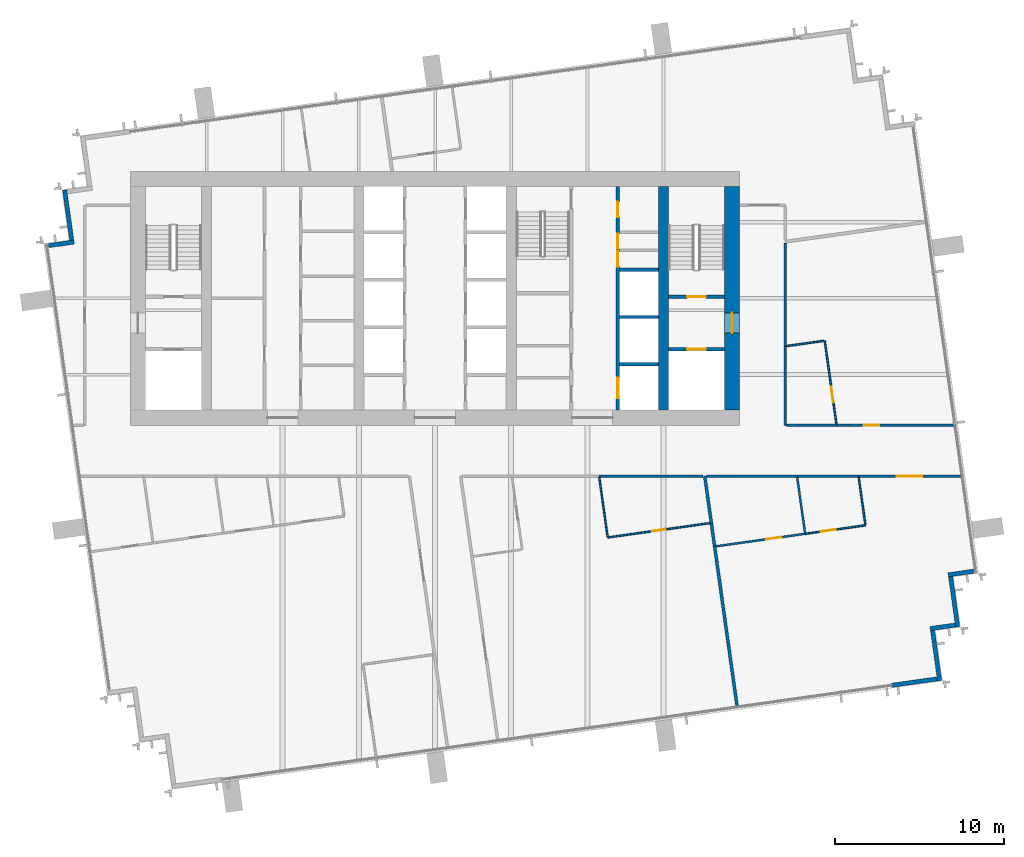
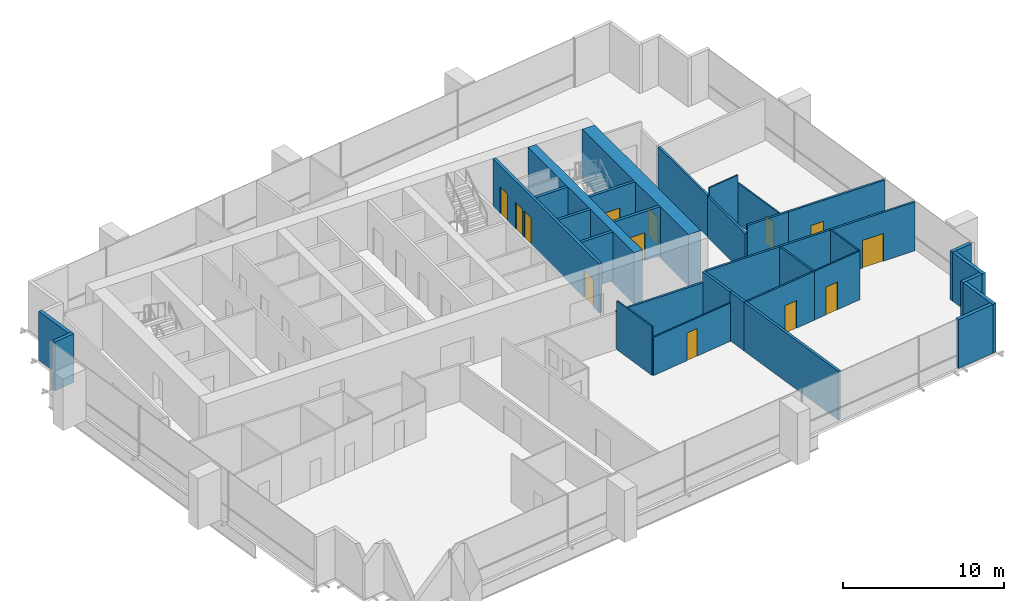
# One storey, part 11 of 14: 34 walls, 13 doors, 13 openings.
"""IFC4 building model written with IfcOpenShell, lengths in metres."""

from ifc_helpers import new_model, si_unit, direction, frame, frame_2d, origin, place, context, subcontext, project, spatial, rectangle, extrude, material, layer, layer_set, type_object, element, fill, save


model = new_model("IFC4")

# Units and contexts
model_context = context("Model", 3, precision=1e-05, world=origin(), true_north=direction((0.0, 1.0)))
body_context = subcontext(model_context, "Body", "Model", "MODEL_VIEW")
ifc_project = project(units=[si_unit("LENGTHUNIT", "METRE"), si_unit("AREAUNIT", "SQUARE_METRE"), si_unit("VOLUMEUNIT", "CUBIC_METRE"), si_unit("PLANEANGLEUNIT", "RADIAN"), si_unit("MASSUNIT", "GRAM", prefix="KILO")], contexts=[model_context])

# Site, building, storey
site_placement = place(None, origin())
site = spatial("IfcSite", under=ifc_project, at=site_placement, CompositionType="ELEMENT")
building_placement = place(site_placement, origin())
building = spatial("IfcBuilding", under=site, at=building_placement, Name="Rattan Terrace Tower", CompositionType="ELEMENT")
storey_placement = place(building_placement, frame((0.0, 0.0, 229.10009765625)))
storey = spatial("IfcBuildingStorey", under=building, at=storey_placement, Name="L52", CompositionType="ELEMENT", Elevation=229.10009765625)

# Wall, opening, door
ifc_material_1 = material(Name="Gypsum board partition")
ifc_layer_1 = layer(ifc_material_1, 0.199951171875)
ifc_layer_set_1 = layer_set([ifc_layer_1], Name="Core partition 200")
wall_type_1 = type_object("IfcWallType", Name="Core partition 200", PredefinedType="PARTITIONING", material=ifc_layer_set_1)
wall_1_placement = place(storey_placement, frame((13.800048828125, -3.0, 0.0), z_axis=(0.0, 0.0, 1.0), x_axis=(1.0, 0.0, 0.0)))
wall_1 = element("IfcWall", 1, at=wall_1_placement, inside=storey, type_object=wall_type_1, Name="Fire-fighting lobby wall", PredefinedType="PARTITIONING", context=body_context, shape_type="SweptSolid", body=[
    extrude(rectangle(XDim=3.300048828125, YDim=0.199951171875, at=frame_2d((1.64990234375, 0.0))), origin(), (0.0, 0.0, 1.0), 3.699951171875),
])
opening_1_placement = place(wall_1_placement, frame((1.10009765625, 0.0, 0.0)))
opening_1 = element("IfcOpeningElement", 2, at=opening_1_placement, cuts=wall_1, Name="Opening L52-LD-FF2", PredefinedType="OPENING", context=body_context, shape_type="SweptSolid", body=[
    extrude(rectangle(XDim=1.10009765625, YDim=2.10009765625, at=frame_2d((0.550048828125, 1.050048828125))), frame((0.0, 0.110595703125, 0.0), z_axis=(0.0, -1.0, 0.0), x_axis=(1.0, 0.0, 0.0)), (0.0, 0.0, 1.0), 0.220947265625),
])
ifc_material_2 = material(Name="Brushed stainless landing door panel")
door_type_1 = type_object("IfcDoorType", Name="Core lift landing door 1100", OperationType="DOUBLE_DOOR_SLIDING", PredefinedType="DOOR", material=ifc_material_2)
door_1_placement = place(opening_1_placement, origin())
door_1 = element("IfcDoor", 3, at=door_1_placement, inside=storey, type_object=door_type_1, Name="Door L52-LD-FF2", OperationType="DOUBLE_DOOR_SLIDING", OverallHeight=2.10009765625, OverallWidth=1.10009765625, PredefinedType="DOOR", context=body_context, shape_type="SweptSolid", body=[
    extrude(rectangle(XDim=1.10009765625, YDim=2.10009765625, at=frame_2d((0.550048828125, 1.050048828125))), frame((0.0, 0.02490234375, 0.0), z_axis=(0.0, -1.0, 0.0), x_axis=(1.0, 0.0, 0.0)), (0.0, 0.0, 1.0), 0.050048828125),
])
fill(opening_1, door_1)

wall_2_placement = place(storey_placement, frame((13.800048828125, 0.10009765625, 0.0), z_axis=(0.0, 0.0, 1.0), x_axis=(1.0, 0.0, 0.0)))
wall_2 = element("IfcWall", 4, at=wall_2_placement, inside=storey, type_object=wall_type_1, Name="Stair enclosure wall", PredefinedType="PARTITIONING", context=body_context, shape_type="SweptSolid", body=[
    extrude(rectangle(XDim=3.300048828125, YDim=0.199951171875, at=frame_2d((1.64990234375, 0.0))), origin(), (0.0, 0.0, 1.0), 3.699951171875),
])
opening_2_placement = place(wall_2_placement, frame((1.10009765625, 0.0, 0.0)))
opening_2 = element("IfcOpeningElement", 5, at=opening_2_placement, cuts=wall_2, Name="Opening L52-D004", PredefinedType="OPENING", context=body_context, shape_type="SweptSolid", body=[
    extrude(rectangle(XDim=1.10009765625, YDim=2.10009765625, at=frame_2d((0.550048828125, 1.050048828125))), frame((0.0, 0.110595703125, 0.0), z_axis=(0.0, -1.0, 0.0), x_axis=(1.0, 0.0, 0.0)), (0.0, 0.0, 1.0), 0.220947265625),
])
ifc_material_3 = material(Name="Hollow-metal fire door leaf")
door_type_2 = type_object("IfcDoorType", Name="Core stair door 1100", OperationType="NOTDEFINED", PredefinedType="DOOR", material=ifc_material_3)
door_2_placement = place(opening_2_placement, origin())
door_2 = element("IfcDoor", 6, at=door_2_placement, inside=storey, type_object=door_type_2, Name="Door L52-D004", OperationType="SINGLE_SWING_LEFT", OverallHeight=2.10009765625, OverallWidth=1.10009765625, PredefinedType="DOOR", context=body_context, shape_type="SweptSolid", body=[
    extrude(rectangle(XDim=1.10009765625, YDim=2.10009765625, at=frame_2d((0.550048828125, 1.050048828125))), frame((0.0, 0.02490234375, 0.0), z_axis=(0.0, -1.0, 0.0), x_axis=(1.0, 0.0, 0.0)), (0.0, 0.0, 1.0), 0.050048828125),
])
fill(opening_2, door_2)

ifc_material_4 = material(Name="Concrete C50/60", Category="concrete")
ifc_layer_2 = layer(ifc_material_4, 0.89990234375)
ifc_layer_set_2 = layer_set([ifc_layer_2], Name="Core ring wall 900 C50/60")
wall_type_2 = type_object("IfcWallType", Name="Core ring wall 900 C50/60", PredefinedType="SHEAR", material=ifc_layer_set_2)
wall_3_placement = place(storey_placement, frame((17.550048828125, -6.60009765625, -0.2001953125), z_axis=(0.0, 0.0, 1.0), x_axis=(0.0, 1.0, 0.0)))
wall_3 = element("IfcWall", 7, at=wall_3_placement, inside=storey, type_object=wall_type_2, Name="Rear core wall east", PredefinedType="SHEAR", context=body_context, shape_type="SweptSolid", body=[
    extrude(rectangle(XDim=13.2001953125, YDim=0.89990234375, at=frame_2d((6.60009765625, 0.0))), origin(), (0.0, 0.0, 1.0), 3.900146484375),
])
opening_3_placement = place(wall_3_placement, frame((4.550048828125, 0.0, 0.199951171875)))
opening_3 = element("IfcOpeningElement", 8, at=opening_3_placement, cuts=wall_3, Name="Opening L52-D003", PredefinedType="OPENING", context=body_context, shape_type="SweptSolid", body=[
    extrude(rectangle(XDim=1.199951171875, YDim=2.10009765625, at=frame_2d((0.60009765625, 1.050048828125))), frame((0.0, 0.46044921875, 0.0), z_axis=(0.0, -1.0, 0.0), x_axis=(1.0, 0.0, 0.0)), (0.0, 0.0, 1.0), 0.9208984375),
])
ifc_material_5 = material(Name="Hollow-metal fire door leaf")
door_type_3 = type_object("IfcDoorType", Name="Core fire-fighting lobby door 1200", OperationType="NOTDEFINED", PredefinedType="DOOR", material=ifc_material_5)
door_3_placement = place(opening_3_placement, origin())
door_3 = element("IfcDoor", 9, at=door_3_placement, inside=storey, type_object=door_type_3, Name="Door L52-D003", OperationType="SINGLE_SWING_RIGHT", OverallHeight=2.10009765625, OverallWidth=1.199951171875, PredefinedType="DOOR", context=body_context, shape_type="SweptSolid", body=[
    extrude(rectangle(XDim=1.199951171875, YDim=2.10009765625, at=frame_2d((0.60009765625, 1.050048828125))), frame((0.0, 0.02490234375, 0.0), z_axis=(0.0, -1.0, 0.0), x_axis=(1.0, 0.0, 0.0)), (0.0, 0.0, 1.0), 0.050048828125),
])
fill(opening_3, door_3)

# Walls
ifc_material_6 = material(Name="Concrete C50/60", Category="concrete")
ifc_layer_3 = layer(ifc_material_6, 0.60009765625)
ifc_layer_set_3 = layer_set([ifc_layer_3], Name="Core spine wall 600 C50/60")
wall_type_3 = type_object("IfcWallType", Name="Core spine wall 600 C50/60", PredefinedType="SHEAR", material=ifc_layer_set_3)
wall_4_placement = place(storey_placement, frame((13.5, -6.60009765625, -0.2001953125), z_axis=(0.0, 0.0, 1.0), x_axis=(0.0, 1.0, 0.0)))
element("IfcWall", 10, at=wall_4_placement, inside=storey, type_object=wall_type_3, Name="Core spine wall 4", PredefinedType="SHEAR", context=body_context, shape_type="SweptSolid", body=[
    extrude(rectangle(XDim=13.2001953125, YDim=0.60009765625, at=frame_2d((6.60009765625, 0.0))), origin(), (0.0, 0.0, 1.0), 3.900146484375),
])
ifc_material_7 = material(Name="Insulated aluminium-clad stud wall", Category="aluminium")
ifc_layer_4 = layer(ifc_material_7, 0.25)
ifc_layer_set_4 = layer_set([ifc_layer_4], Name="Facade Riser Wall 250")
wall_type_4 = type_object("IfcWallType", Name="Facade Riser Wall 250", PredefinedType="SOLIDWALL", material=ifc_layer_set_4)
wall_5_placement = place(storey_placement, frame((26.995361328125, -22.858642578125, 0.0), z_axis=(0.0, 0.0, 1.0), x_axis=(0.99024510326, 0.139336411139, 0.0)))
element("IfcWall", 11, at=wall_5_placement, inside=storey, type_object=wall_type_4, Name="Riser wall L52-1", PredefinedType="SOLIDWALL", context=body_context, shape_type="SweptSolid", body=[
    extrude(rectangle(XDim=2.705322265625, YDim=0.25, at=frame_2d((1.3525390625, 0.0))), origin(), (0.0, 0.0, 1.0), 3.699951171875),
])
wall_6_placement = place(storey_placement, frame((29.8154296875, -22.588134765625, 0.0), z_axis=(0.0, 0.0, 1.0), x_axis=(-0.138983028379, 0.9902947631, 0.0)))
element("IfcWall", 12, at=wall_6_placement, inside=storey, type_object=wall_type_4, Name="Riser wall L52-2", PredefinedType="SOLIDWALL", context=body_context, shape_type="SweptSolid", body=[
    extrude(rectangle(XDim=3.000244140625, YDim=0.25, at=frame_2d((1.5, 0.0))), origin(), (0.0, 0.0, 1.0), 3.699951171875),
])
wall_7_placement = place(storey_placement, frame((29.25732421875, -19.510498046875, 0.0), z_axis=(0.0, 0.0, 1.0), x_axis=(0.990330117064, 0.138730887823, 0.0)))
element("IfcWall", 13, at=wall_7_placement, inside=storey, type_object=wall_type_4, Name="Riser wall L52-3", PredefinedType="SOLIDWALL", context=body_context, shape_type="SweptSolid", body=[
    extrude(rectangle(XDim=1.499267578125, YDim=0.25, at=frame_2d((0.74951171875, 0.0))), origin(), (0.0, 0.0, 1.0), 3.699951171875),
])
wall_8_placement = place(storey_placement, frame((30.88330078125, -19.408935546875, 0.0), z_axis=(0.0, 0.0, 1.0), x_axis=(-0.139324658755, 0.990246756855, 0.0)))
element("IfcWall", 14, at=wall_8_placement, inside=storey, type_object=wall_type_4, Name="Riser wall L52-4", PredefinedType="SOLIDWALL", context=body_context, shape_type="SweptSolid", body=[
    extrude(rectangle(XDim=3.0, YDim=0.25, at=frame_2d((1.5, 0.0))), origin(), (0.0, 0.0, 1.0), 3.699951171875),
])
wall_9_placement = place(storey_placement, frame((30.32421875, -16.331787109375, 0.0), z_axis=(0.0, 0.0, 1.0), x_axis=(0.990238641016, 0.139382329723, 0.0)))
element("IfcWall", 15, at=wall_9_placement, inside=storey, type_object=wall_type_4, Name="Riser wall L52-5", PredefinedType="SOLIDWALL", context=body_context, shape_type="SweptSolid", body=[
    extrude(rectangle(XDim=1.525634765625, YDim=0.25, at=frame_2d((0.7626953125, 0.0))), origin(), (0.0, 0.0, 1.0), 3.699951171875),
])
wall_10_placement = place(storey_placement, frame((-21.88330078125, 6.408935546875, 0.0), z_axis=(0.0, 0.0, 1.0), x_axis=(0.139324658755, -0.990246756855, 0.0)))
element("IfcWall", 16, at=wall_10_placement, inside=storey, type_object=wall_type_4, Name="Riser wall L52-14", PredefinedType="SOLIDWALL", context=body_context, shape_type="SweptSolid", body=[
    extrude(rectangle(XDim=3.0, YDim=0.25, at=frame_2d((1.5, 0.0))), origin(), (0.0, 0.0, 1.0), 3.699951171875),
])
wall_11_placement = place(storey_placement, frame((-21.32421875, 3.331787109375, 0.0), z_axis=(0.0, 0.0, 1.0), x_axis=(-0.990238641016, -0.139382329723, 0.0)))
element("IfcWall", 17, at=wall_11_placement, inside=storey, type_object=wall_type_4, Name="Riser wall L52-15", PredefinedType="SOLIDWALL", context=body_context, shape_type="SweptSolid", body=[
    extrude(rectangle(XDim=1.525634765625, YDim=0.25, at=frame_2d((0.7626953125, 0.0))), origin(), (0.0, 0.0, 1.0), 3.699951171875),
])
ifc_material_8 = material(Name="Double steel stud acoustic partition, gypsum board, mineral wool, fire rated", Category="steel")
ifc_layer_5 = layer(ifc_material_8, 0.179931640625)
ifc_layer_set_5 = layer_set([ifc_layer_5], Name="Floors Acoustic Party Wall 180")
wall_type_5 = type_object("IfcWallType", Name="Floors Acoustic Party Wall 180", PredefinedType="PARTITIONING", material=ifc_layer_set_5)
wall_12_placement = place(storey_placement, frame((16.51904296875, -14.638916015625, 0.0), z_axis=(0.0, 0.0, 1.0), x_axis=(0.139138381639, -0.990272947603, 0.0)))
element("IfcWall", 18, at=wall_12_placement, inside=storey, type_object=wall_type_5, Name="pt-L52-039", PredefinedType="PARTITIONING", context=body_context, shape_type="SweptSolid", body=[
    extrude(rectangle(XDim=9.508544921875, YDim=0.179931640625, at=frame_2d((4.75439453125, 0.0))), origin(), (0.0, 0.0, 1.0), 3.699951171875),
])
wall_13_placement = place(storey_placement, frame((16.325927734375, -13.26611328125, 0.0), z_axis=(0.0, 0.0, 1.0), x_axis=(0.13930070257, -0.990250127121, 0.0)))
element("IfcWall", 19, at=wall_13_placement, inside=storey, type_object=wall_type_5, Name="pt-L52-040", PredefinedType="PARTITIONING", context=body_context, shape_type="SweptSolid", body=[
    extrude(rectangle(XDim=1.38623046875, YDim=0.179931640625, at=frame_2d((0.693115234375, 0.0))), origin(), (0.0, 0.0, 1.0), 3.699951171875),
])
wall_14_placement = place(storey_placement, frame((15.93701171875, -10.5, 0.0), z_axis=(0.0, 0.0, 1.0), x_axis=(0.139230726348, -0.990259968312, 0.0)))
element("IfcWall", 20, at=wall_14_placement, inside=storey, type_object=wall_type_5, Name="pt-L52-041", PredefinedType="PARTITIONING", context=body_context, shape_type="SweptSolid", body=[
    extrude(rectangle(XDim=2.793212890625, YDim=0.179931640625, at=frame_2d((1.396484375, 0.0))), origin(), (0.0, 0.0, 1.0), 3.699951171875),
])
ifc_material_9 = material(Name="Gypsum board partition on steel studs", Category="steel")
ifc_layer_6 = layer(ifc_material_9, 0.10009765625)
ifc_layer_set_6 = layer_set([ifc_layer_6], Name="Floors Partition 100")
wall_type_6 = type_object("IfcWallType", Name="Floors Partition 100", PredefinedType="PARTITIONING", material=ifc_layer_set_6)
wall_15_placement = place(storey_placement, frame((9.7041015625, -10.568115234375, 0.0), z_axis=(0.0, 0.0, 1.0), x_axis=(0.139115473097, -0.9902761661, 0.0)))
element("IfcWall", 21, at=wall_15_placement, inside=storey, type_object=wall_type_6, Name="pt-L52-037", PredefinedType="PARTITIONING", context=body_context, shape_type="SweptSolid", body=[
    extrude(rectangle(XDim=3.543212890625, YDim=0.10009765625, at=frame_2d((1.771484375, 0.0))), origin(), (0.0, 0.0, 1.0), 3.699951171875),
])

# Wall, opening, door
wall_16_placement = place(storey_placement, frame((10.2041015625, -14.1259765625, 0.0), z_axis=(0.0, 0.0, 1.0), x_axis=(0.99026754166, 0.139176851288, 0.0)))
wall_16 = element("IfcWall", 22, at=wall_16_placement, inside=storey, type_object=wall_type_6, Name="pt-L52-038", PredefinedType="PARTITIONING", context=body_context, shape_type="SweptSolid", body=[
    extrude(rectangle(XDim=6.09228515625, YDim=0.10009765625, at=frame_2d((3.046142578125, 0.0))), origin(), (0.0, 0.0, 1.0), 2.89990234375),
])
opening_4_placement = place(wall_16_placement, frame((2.64599609375, 0.0, 0.0)))
opening_4 = element("IfcOpeningElement", 23, at=opening_4_placement, cuts=wall_16, Name="Opening L52-D108", PredefinedType="OPENING", context=body_context, shape_type="SweptSolid", body=[
    extrude(rectangle(XDim=0.800048828125, YDim=2.10009765625, at=frame_2d((0.39990234375, 1.050048828125))), frame((0.0, 0.060546875, 0.0), z_axis=(0.0, -1.0, 0.0), x_axis=(1.0, 0.0, 0.0)), (0.0, 0.0, 1.0), 0.12109375),
])
ifc_material_10 = material(Name="Solid core timber door, painted", Category="wood")
door_type_4 = type_object("IfcDoorType", Name="Floors Store Door 800x2100", OperationType="NOTDEFINED", PredefinedType="DOOR", material=ifc_material_10)
door_4_placement = place(opening_4_placement, origin())
door_4 = element("IfcDoor", 24, at=door_4_placement, inside=storey, type_object=door_type_4, Name="d-L52-108", OperationType="SINGLE_SWING_LEFT", OverallHeight=2.10009765625, OverallWidth=0.800048828125, PredefinedType="DOOR", context=body_context, shape_type="SweptSolid", body=[
    extrude(rectangle(XDim=0.800048828125, YDim=2.10009765625, at=frame_2d((0.39990234375, 1.050048828125))), frame((0.0, 0.02490234375, 0.0), z_axis=(0.0, -1.0, 0.0), x_axis=(1.0, 0.0, 0.0)), (0.0, 0.0, 1.0), 0.050048828125),
])
fill(opening_4, door_4)

wall_17_placement = place(storey_placement, frame((21.888916015625, -13.905029296875, 0.0), z_axis=(0.0, 0.0, 1.0), x_axis=(0.990275524816, 0.139120037919, 0.0)))
wall_17 = element("IfcWall", 25, at=wall_17_placement, inside=storey, type_object=wall_type_6, Name="pt-L52-043", PredefinedType="PARTITIONING", context=body_context, shape_type="SweptSolid", body=[
    extrude(rectangle(XDim=3.580078125, YDim=0.10009765625, at=frame_2d((1.7900390625, 0.0))), origin(), (0.0, 0.0, 1.0), 3.699951171875),
])
opening_5_placement = place(wall_17_placement, frame((0.904052734375, 0.0, 0.0)))
opening_5 = element("IfcOpeningElement", 26, at=opening_5_placement, cuts=wall_17, Name="Opening L52-D111", PredefinedType="OPENING", context=body_context, shape_type="SweptSolid", body=[
    extrude(rectangle(XDim=0.89990234375, YDim=2.10009765625, at=frame_2d((0.449951171875, 1.050048828125))), frame((0.0, 0.060546875, 0.0), z_axis=(0.0, -1.0, 0.0), x_axis=(1.0, 0.0, 0.0)), (0.0, 0.0, 1.0), 0.12109375),
])
ifc_material_11 = material(Name="Solid core timber door, painted", Category="wood")
door_type_5 = type_object("IfcDoorType", Name="Floors Door 900x2100", OperationType="NOTDEFINED", PredefinedType="DOOR", material=ifc_material_11)
door_5_placement = place(opening_5_placement, origin())
door_5 = element("IfcDoor", 27, at=door_5_placement, inside=storey, type_object=door_type_5, Name="d-L52-111", OperationType="SINGLE_SWING_LEFT", OverallHeight=2.10009765625, OverallWidth=0.89990234375, PredefinedType="DOOR", context=body_context, shape_type="SweptSolid", body=[
    extrude(rectangle(XDim=0.89990234375, YDim=2.10009765625, at=frame_2d((0.449951171875, 1.050048828125))), frame((0.0, 0.02490234375, 0.0), z_axis=(0.0, -1.0, 0.0), x_axis=(1.0, 0.0, 0.0)), (0.0, 0.0, 1.0), 0.050048828125),
])
fill(opening_5, door_5)

# Walls
wall_18_placement = place(storey_placement, frame((25.427001953125, -13.35791015625, 0.0), z_axis=(0.0, 0.0, 1.0), x_axis=(-0.139176490191, 0.99026759241, 0.0)))
element("IfcWall", 28, at=wall_18_placement, inside=storey, type_object=wall_type_6, Name="pt-L52-044", PredefinedType="PARTITIONING", context=body_context, shape_type="SweptSolid", body=[
    extrude(rectangle(XDim=2.817138671875, YDim=0.10009765625, at=frame_2d((1.40869140625, 0.0))), origin(), (0.0, 0.0, 1.0), 3.699951171875),
])
wall_19_placement = place(storey_placement, frame((22.97705078125, -2.506103515625, 0.0), z_axis=(0.0, 0.0, 1.0), x_axis=(-0.990307451449, -0.138892590173, 0.0)))
element("IfcWall", 29, at=wall_19_placement, inside=storey, type_object=wall_type_6, Name="pt-L52-049", PredefinedType="PARTITIONING", context=body_context, shape_type="SweptSolid", body=[
    extrude(rectangle(XDim=2.230712890625, YDim=0.10009765625, at=frame_2d((1.115234375, 0.0))), origin(), (0.0, 0.0, 1.0), 3.699951171875),
])

# Wall, opening, door
wall_20_placement = place(storey_placement, frame((23.718994140625, -7.431884765625, 0.0), z_axis=(0.0, 0.0, 1.0), x_axis=(-0.138902614834, 0.990306045418, 0.0)))
wall_20 = element("IfcWall", 30, at=wall_20_placement, inside=storey, type_object=wall_type_6, Name="pt-L52-050", PredefinedType="PARTITIONING", context=body_context, shape_type="SweptSolid", body=[
    extrude(rectangle(XDim=4.981201171875, YDim=0.10009765625, at=frame_2d((2.49072265625, 0.0))), origin(), (0.0, 0.0, 1.0), 3.099853515625),
])
opening_6_placement = place(wall_20_placement, frame((1.323974609375, 0.0, 0.0)))
opening_6 = element("IfcOpeningElement", 31, at=opening_6_placement, cuts=wall_20, Name="Opening L52-D115", PredefinedType="OPENING", context=body_context, shape_type="SweptSolid", body=[
    extrude(rectangle(XDim=0.89990234375, YDim=2.10009765625, at=frame_2d((0.449951171875, 1.050048828125))), frame((0.0, 0.060546875, 0.0), z_axis=(0.0, -1.0, 0.0), x_axis=(1.0, 0.0, 0.0)), (0.0, 0.0, 1.0), 0.12109375),
])
door_6_placement = place(opening_6_placement, origin())
door_6 = element("IfcDoor", 32, at=door_6_placement, inside=storey, type_object=door_type_5, Name="d-L52-115", OperationType="SINGLE_SWING_LEFT", OverallHeight=2.10009765625, OverallWidth=0.89990234375, PredefinedType="DOOR", context=body_context, shape_type="SweptSolid", body=[
    extrude(rectangle(XDim=0.89990234375, YDim=2.10009765625, at=frame_2d((0.449951171875, 1.050048828125))), frame((0.0, 0.02490234375, 0.0), z_axis=(0.0, -1.0, 0.0), x_axis=(1.0, 0.0, 0.0)), (0.0, 0.0, 1.0), 0.050048828125),
])
fill(opening_6, door_6)

# Wall
ifc_material_12 = material(Name="Gypsum board partition on steel studs, fire rated", Category="steel")
ifc_layer_7 = layer(ifc_material_12, 0.14990234375)
ifc_layer_set_7 = layer_set([ifc_layer_7], Name="Floors Tenancy Wall 150")
wall_type_7 = type_object("IfcWallType", Name="Floors Tenancy Wall 150", PredefinedType="PARTITIONING", material=ifc_layer_set_7)
wall_21_placement = place(storey_placement, frame((15.847900390625, -10.5, 0.0), z_axis=(0.0, 0.0, 1.0), x_axis=(-1.0, 0.0, 0.0)))
element("IfcWall", 33, at=wall_21_placement, inside=storey, type_object=wall_type_7, Name="pt-L52-012", PredefinedType="PARTITIONING", context=body_context, shape_type="SweptSolid", body=[
    extrude(rectangle(XDim=6.1728515625, YDim=0.14990234375, at=frame_2d((3.08642578125, 0.0))), origin(), (0.0, 0.0, 1.0), 2.89990234375),
])

# Wall, opening, door
wall_22_placement = place(storey_placement, frame((31.054931640625, -10.5, 0.0), z_axis=(0.0, 0.0, 1.0), x_axis=(-1.0, 0.0, 0.0)))
wall_22 = element("IfcWall", 34, at=wall_22_placement, inside=storey, type_object=wall_type_7, Name="pt-L52-013", PredefinedType="PARTITIONING", context=body_context, shape_type="SweptSolid", body=[
    extrude(rectangle(XDim=6.050048828125, YDim=0.14990234375, at=frame_2d((3.02490234375, 0.0))), origin(), (0.0, 0.0, 1.0), 3.699951171875),
])
opening_7_placement = place(wall_22_placement, frame((2.27490234375, 0.0, 0.0)))
opening_7 = element("IfcOpeningElement", 35, at=opening_7_placement, cuts=wall_22, Name="Opening L52-D109", PredefinedType="OPENING", context=body_context, shape_type="SweptSolid", body=[
    extrude(rectangle(XDim=1.5, YDim=2.10009765625, at=frame_2d((0.75, 1.050048828125))), frame((0.0, 0.08544921875, 0.0), z_axis=(0.0, -1.0, 0.0), x_axis=(1.0, 0.0, 0.0)), (0.0, 0.0, 1.0), 0.1708984375),
])
ifc_material_13 = material(Name="Steel fire door set", Category="steel")
door_type_6 = type_object("IfcDoorType", Name="Floors Unit Door Pair FD30S 1500x2100", OperationType="NOTDEFINED", PredefinedType="DOOR", material=ifc_material_13)
door_7_placement = place(opening_7_placement, origin())
door_7 = element("IfcDoor", 36, at=door_7_placement, inside=storey, type_object=door_type_6, Name="d-L52-109", OperationType="DOUBLE_DOOR_SINGLE_SWING", OverallHeight=2.10009765625, OverallWidth=1.5, PredefinedType="DOOR", context=body_context, shape_type="SweptSolid", body=[
    extrude(rectangle(XDim=1.5, YDim=2.10009765625, at=frame_2d((0.75, 1.050048828125))), frame((0.0, 0.02490234375, 0.0), z_axis=(0.0, -1.0, 0.0), x_axis=(1.0, 0.0, 0.0)), (0.0, 0.0, 1.0), 0.050048828125),
])
fill(opening_7, door_7)

# Walls
wall_23_placement = place(storey_placement, frame((21.409912109375, -10.5, 0.0), z_axis=(0.0, 0.0, 1.0), x_axis=(-1.0, 0.0, 0.0)))
element("IfcWall", 37, at=wall_23_placement, inside=storey, type_object=wall_type_7, Name="pt-L52-014", PredefinedType="PARTITIONING", context=body_context, shape_type="SweptSolid", body=[
    extrude(rectangle(XDim=5.371826171875, YDim=0.14990234375, at=frame_2d((2.68603515625, 0.0))), origin(), (0.0, 0.0, 1.0), 3.699951171875),
])
wall_24_placement = place(storey_placement, frame((25.0048828125, -10.5, 0.0), z_axis=(0.0, 0.0, 1.0), x_axis=(-1.0, 0.0, 0.0)))
element("IfcWall", 38, at=wall_24_placement, inside=storey, type_object=wall_type_7, Name="pt-L52-015", PredefinedType="PARTITIONING", context=body_context, shape_type="SweptSolid", body=[
    extrude(rectangle(XDim=3.594970703125, YDim=0.14990234375, at=frame_2d((1.79736328125, 0.0))), origin(), (0.0, 0.0, 1.0), 3.699951171875),
])
wall_25_placement = place(storey_placement, frame((20.699951171875, 3.260986328125, 0.0), z_axis=(0.0, 0.0, 1.0), x_axis=(0.0, -1.0, 0.0)))
element("IfcWall", 39, at=wall_25_placement, inside=storey, type_object=wall_type_7, Name="pt-L52-019", PredefinedType="PARTITIONING", context=body_context, shape_type="SweptSolid", body=[
    extrude(rectangle(XDim=6.10693359375, YDim=0.14990234375, at=frame_2d((3.053466796875, 0.0))), origin(), (0.0, 0.0, 1.0), 3.14990234375),
])

# Wall, opening, door
wall_26_placement = place(storey_placement, frame((23.708984375, -7.5, 0.0), z_axis=(0.0, 0.0, 1.0), x_axis=(1.0, 0.0, 0.0)))
wall_26 = element("IfcWall", 40, at=wall_26_placement, inside=storey, type_object=wall_type_7, Name="pt-L52-020", PredefinedType="PARTITIONING", context=body_context, shape_type="SweptSolid", body=[
    extrude(rectangle(XDim=6.924072265625, YDim=0.14990234375, at=frame_2d((3.4619140625, 0.0))), origin(), (0.0, 0.0, 1.0), 3.699951171875),
])
opening_8_placement = place(wall_26_placement, frame((1.631103515625, 0.0, 0.0)))
opening_8 = element("IfcOpeningElement", 41, at=opening_8_placement, cuts=wall_26, Name="Opening L52-D114", PredefinedType="OPENING", context=body_context, shape_type="SweptSolid", body=[
    extrude(rectangle(XDim=0.89990234375, YDim=2.10009765625, at=frame_2d((0.449951171875, 1.050048828125))), frame((0.0, 0.08544921875, 0.0), z_axis=(0.0, -1.0, 0.0), x_axis=(1.0, 0.0, 0.0)), (0.0, 0.0, 1.0), 0.1708984375),
])
ifc_material_14 = material(Name="Steel fire door set", Category="steel")
door_type_7 = type_object("IfcDoorType", Name="Floors Fire Door FD30S 900x2100", OperationType="NOTDEFINED", PredefinedType="DOOR", material=ifc_material_14)
door_8_placement = place(opening_8_placement, origin())
door_8 = element("IfcDoor", 42, at=door_8_placement, inside=storey, type_object=door_type_7, Name="d-L52-114", OperationType="SINGLE_SWING_LEFT", OverallHeight=2.10009765625, OverallWidth=0.89990234375, PredefinedType="DOOR", context=body_context, shape_type="SweptSolid", body=[
    extrude(rectangle(XDim=0.89990234375, YDim=2.10009765625, at=frame_2d((0.449951171875, 1.050048828125))), frame((0.0, 0.02490234375, 0.0), z_axis=(0.0, -1.0, 0.0), x_axis=(1.0, 0.0, 0.0)), (0.0, 0.0, 1.0), 0.050048828125),
])
fill(opening_8, door_8)

# Walls
wall_27_placement = place(storey_placement, frame((20.699951171875, -2.845947265625, 0.0), z_axis=(0.0, 0.0, 1.0), x_axis=(0.0, -1.0, 0.0)))
element("IfcWall", 43, at=wall_27_placement, inside=storey, type_object=wall_type_7, Name="pt-L52-021", PredefinedType="PARTITIONING", context=body_context, shape_type="SweptSolid", body=[
    extrude(rectangle(XDim=4.654052734375, YDim=0.14990234375, at=frame_2d((2.3271484375, 0.0))), origin(), (0.0, 0.0, 1.0), 3.099853515625),
])
wall_28_placement = place(storey_placement, frame((20.77490234375, -7.5, 0.0), z_axis=(0.0, 0.0, 1.0), x_axis=(1.0, 0.0, 0.0)))
element("IfcWall", 44, at=wall_28_placement, inside=storey, type_object=wall_type_7, Name="pt-L52-022", PredefinedType="PARTITIONING", context=body_context, shape_type="SweptSolid", body=[
    extrude(rectangle(XDim=2.93408203125, YDim=0.14990234375, at=frame_2d((1.467041015625, 0.0))), origin(), (0.0, 0.0, 1.0), 3.699951171875),
])

# Wall, opening, door
ifc_material_15 = material(Name="Moisture resistant gypsum board partition on steel studs with service cavity", Category="steel")
ifc_layer_8 = layer(ifc_material_15, 0.1201171875)
ifc_layer_set_8 = layer_set([ifc_layer_8], Name="Floors Wet Wall 120")
wall_type_8 = type_object("IfcWallType", Name="Floors Wet Wall 120", PredefinedType="PARTITIONING", material=ifc_layer_set_8)
wall_29_placement = place(storey_placement, frame((16.611083984375, -14.64697265625, 0.0), z_axis=(0.0, 0.0, 1.0), x_axis=(0.990263091894, 0.139208508477, 0.0)))
wall_29 = element("IfcWall", 45, at=wall_29_placement, inside=storey, type_object=wall_type_8, Name="pt-L52-042", PredefinedType="PARTITIONING", context=body_context, shape_type="SweptSolid", body=[
    extrude(rectangle(XDim=5.329833984375, YDim=0.1201171875, at=frame_2d((2.6650390625, 0.0))), origin(), (0.0, 0.0, 1.0), 3.699951171875),
])
opening_9_placement = place(wall_29_placement, frame((3.0, 0.0, 0.0)))
opening_9 = element("IfcOpeningElement", 46, at=opening_9_placement, cuts=wall_29, Name="Opening L52-D110", PredefinedType="OPENING", context=body_context, shape_type="SweptSolid", body=[
    extrude(rectangle(XDim=0.89990234375, YDim=2.10009765625, at=frame_2d((0.449951171875, 1.050048828125))), frame((0.0, 0.070556640625, 0.0), z_axis=(0.0, -1.0, 0.0), x_axis=(1.0, 0.0, 0.0)), (0.0, 0.0, 1.0), 0.14111328125),
])
door_9_placement = place(opening_9_placement, origin())
door_9 = element("IfcDoor", 47, at=door_9_placement, inside=storey, type_object=door_type_5, Name="d-L52-110", OperationType="SINGLE_SWING_RIGHT", OverallHeight=2.10009765625, OverallWidth=0.89990234375, PredefinedType="DOOR", context=body_context, shape_type="SweptSolid", body=[
    extrude(rectangle(XDim=0.89990234375, YDim=2.10009765625, at=frame_2d((0.449951171875, 1.050048828125))), frame((0.0, 0.02490234375, 0.0), z_axis=(0.0, -1.0, 0.0), x_axis=(1.0, 0.0, 0.0)), (0.0, 0.0, 1.0), 0.050048828125),
])
fill(opening_9, door_9)

# Wall
wall_30_placement = place(storey_placement, frame((21.39892578125, -10.56689453125, 0.0), z_axis=(0.0, 0.0, 1.0), x_axis=(0.139430884239, -0.990231805448, 0.0)))
element("IfcWall", 48, at=wall_30_placement, inside=storey, type_object=wall_type_8, Name="pt-L52-045", PredefinedType="PARTITIONING", context=body_context, shape_type="SweptSolid", body=[
    extrude(rectangle(XDim=3.314697265625, YDim=0.1201171875, at=frame_2d((1.6572265625, 0.0))), origin(), (0.0, 0.0, 1.0), 3.699951171875),
])

# Wall, openings, doors
ifc_material_16 = material(Name="Gypsum shaft wall system")
ifc_layer_9 = layer(ifc_material_16, 0.199951171875)
ifc_layer_set_9 = layer_set([ifc_layer_9], Name="Lift shaft wall 200")
wall_type_9 = type_object("IfcWallType", Name="Lift shaft wall 200", PredefinedType="PARTITIONING", material=ifc_layer_set_9)
wall_31_placement = place(storey_placement, frame((10.800048828125, -6.60009765625, 0.0), z_axis=(0.0, 0.0, 1.0), x_axis=(0.0, 1.0, 0.0)))
wall_31 = element("IfcWall", 49, at=wall_31_placement, inside=storey, type_object=wall_type_9, Name="Lift shaft front wall", PredefinedType="PARTITIONING", context=body_context, shape_type="SweptSolid", body=[
    extrude(rectangle(XDim=13.2001953125, YDim=0.199951171875, at=frame_2d((6.60009765625, 0.0))), origin(), (0.0, 0.0, 1.0), 3.699951171875),
])
opening_10_placement = place(wall_31_placement, frame((0.699951171875, 0.0, 0.0)))
opening_10 = element("IfcOpeningElement", 50, at=opening_10_placement, cuts=wall_31, Name="Opening L52-LD-SV1", PredefinedType="OPENING", context=body_context, shape_type="SweptSolid", body=[
    extrude(rectangle(XDim=1.199951171875, YDim=2.10009765625, at=frame_2d((0.60009765625, 1.050048828125))), frame((0.0, 0.110595703125, 0.0), z_axis=(0.0, -1.0, 0.0), x_axis=(1.0, 0.0, 0.0)), (0.0, 0.0, 1.0), 0.220947265625),
])
opening_11_placement = place(wall_31_placement, frame((8.47802734375, 0.0, 0.0)))
opening_11 = element("IfcOpeningElement", 51, at=opening_11_placement, cuts=wall_31, Name="Opening L52-D021", PredefinedType="OPENING", context=body_context, shape_type="SweptSolid", body=[
    extrude(rectangle(XDim=0.89990234375, YDim=2.10009765625, at=frame_2d((0.449951171875, 1.050048828125))), frame((0.0, 0.110595703125, 0.0), z_axis=(0.0, -1.0, 0.0), x_axis=(1.0, 0.0, 0.0)), (0.0, 0.0, 1.0), 0.220947265625),
])
opening_12_placement = place(wall_31_placement, frame((9.533935546875, 0.0, 0.0)))
opening_12 = element("IfcOpeningElement", 52, at=opening_12_placement, cuts=wall_31, Name="Opening L52-D022", PredefinedType="OPENING", context=body_context, shape_type="SweptSolid", body=[
    extrude(rectangle(XDim=0.89990234375, YDim=2.10009765625, at=frame_2d((0.449951171875, 1.050048828125))), frame((0.0, 0.110595703125, 0.0), z_axis=(0.0, -1.0, 0.0), x_axis=(1.0, 0.0, 0.0)), (0.0, 0.0, 1.0), 0.220947265625),
])
opening_13_placement = place(wall_31_placement, frame((11.406005859375, 0.0, 0.0)))
opening_13 = element("IfcOpeningElement", 53, at=opening_13_placement, cuts=wall_31, Name="Opening L52-D023", PredefinedType="OPENING", context=body_context, shape_type="SweptSolid", body=[
    extrude(rectangle(XDim=0.89990234375, YDim=2.10009765625, at=frame_2d((0.449951171875, 1.050048828125))), frame((0.0, 0.110595703125, 0.0), z_axis=(0.0, -1.0, 0.0), x_axis=(1.0, 0.0, 0.0)), (0.0, 0.0, 1.0), 0.220947265625),
])
ifc_material_17 = material(Name="Brushed stainless landing door panel")
door_type_8 = type_object("IfcDoorType", Name="Core lift landing door 1200", OperationType="DOUBLE_DOOR_SLIDING", PredefinedType="DOOR", material=ifc_material_17)
door_10_placement = place(opening_10_placement, origin())
door_10 = element("IfcDoor", 54, at=door_10_placement, inside=storey, type_object=door_type_8, Name="Door L52-LD-SV1", OperationType="DOUBLE_DOOR_SLIDING", OverallHeight=2.10009765625, OverallWidth=1.199951171875, PredefinedType="DOOR", context=body_context, shape_type="SweptSolid", body=[
    extrude(rectangle(XDim=1.199951171875, YDim=2.10009765625, at=frame_2d((0.60009765625, 1.050048828125))), frame((0.0, 0.02490234375, 0.0), z_axis=(0.0, -1.0, 0.0), x_axis=(1.0, 0.0, 0.0)), (0.0, 0.0, 1.0), 0.050048828125),
])
fill(opening_10, door_10)
ifc_material_18 = material(Name="Hollow-metal fire door leaf")
door_type_9 = type_object("IfcDoorType", Name="Core riser door 900", OperationType="NOTDEFINED", PredefinedType="DOOR", material=ifc_material_18)
door_11_placement = place(opening_11_placement, origin())
door_11 = element("IfcDoor", 55, at=door_11_placement, inside=storey, type_object=door_type_9, Name="Door L52-D021", OperationType="SINGLE_SWING_RIGHT", OverallHeight=2.10009765625, OverallWidth=0.89990234375, PredefinedType="DOOR", context=body_context, shape_type="SweptSolid", body=[
    extrude(rectangle(XDim=0.89990234375, YDim=2.10009765625, at=frame_2d((0.449951171875, 1.050048828125))), frame((0.0, 0.02490234375, 0.0), z_axis=(0.0, -1.0, 0.0), x_axis=(1.0, 0.0, 0.0)), (0.0, 0.0, 1.0), 0.050048828125),
])
fill(opening_11, door_11)
door_12_placement = place(opening_12_placement, origin())
door_12 = element("IfcDoor", 56, at=door_12_placement, inside=storey, type_object=door_type_9, Name="Door L52-D022", OperationType="SINGLE_SWING_LEFT", OverallHeight=2.10009765625, OverallWidth=0.89990234375, PredefinedType="DOOR", context=body_context, shape_type="SweptSolid", body=[
    extrude(rectangle(XDim=0.89990234375, YDim=2.10009765625, at=frame_2d((0.449951171875, 1.050048828125))), frame((0.0, 0.02490234375, 0.0), z_axis=(0.0, -1.0, 0.0), x_axis=(1.0, 0.0, 0.0)), (0.0, 0.0, 1.0), 0.050048828125),
])
fill(opening_12, door_12)
ifc_material_19 = material(Name="Hollow-metal fire door leaf")
door_type_10 = type_object("IfcDoorType", Name="Core service room door 900", OperationType="NOTDEFINED", PredefinedType="DOOR", material=ifc_material_19)
door_13_placement = place(opening_13_placement, origin())
door_13 = element("IfcDoor", 57, at=door_13_placement, inside=storey, type_object=door_type_10, Name="Door L52-D023", OperationType="SINGLE_SWING_RIGHT", OverallHeight=2.10009765625, OverallWidth=0.89990234375, PredefinedType="DOOR", context=body_context, shape_type="SweptSolid", body=[
    extrude(rectangle(XDim=0.89990234375, YDim=2.10009765625, at=frame_2d((0.449951171875, 1.050048828125))), frame((0.0, 0.02490234375, 0.0), z_axis=(0.0, -1.0, 0.0), x_axis=(1.0, 0.0, 0.0)), (0.0, 0.0, 1.0), 0.050048828125),
])
fill(opening_13, door_13)

# Walls
for number, where, z_axis, x_axis, name in (
    (58, (10.89990234375, -3.89990234375, 0.0), (0.0, 0.0, 1.0), (1.0, 0.0, 0.0), "Lift shaft wall"),
    (59, (10.89990234375, -1.10009765625, 0.0), (0.0, 0.0, 1.0), (1.0, 0.0, 0.0), "Lift shaft wall"),
    (60, (10.89990234375, 1.699951171875, 0.0), (0.0, 0.0, 1.0), (1.0, 0.0, 0.0), "Lift shaft wall"),
):
    element("IfcWall", number, at=place(storey_placement, frame(where, z_axis=z_axis, x_axis=x_axis)), inside=storey, type_object=wall_type_9, Name=name, PredefinedType="PARTITIONING", context=body_context, shape_type="SweptSolid", body=[
        extrude(rectangle(XDim=2.300048828125, YDim=0.199951171875, at=frame_2d((1.14990234375, 0.0))), origin(), (0.0, 0.0, 1.0), 3.699951171875),
    ])

save(model, "model.ifc")
